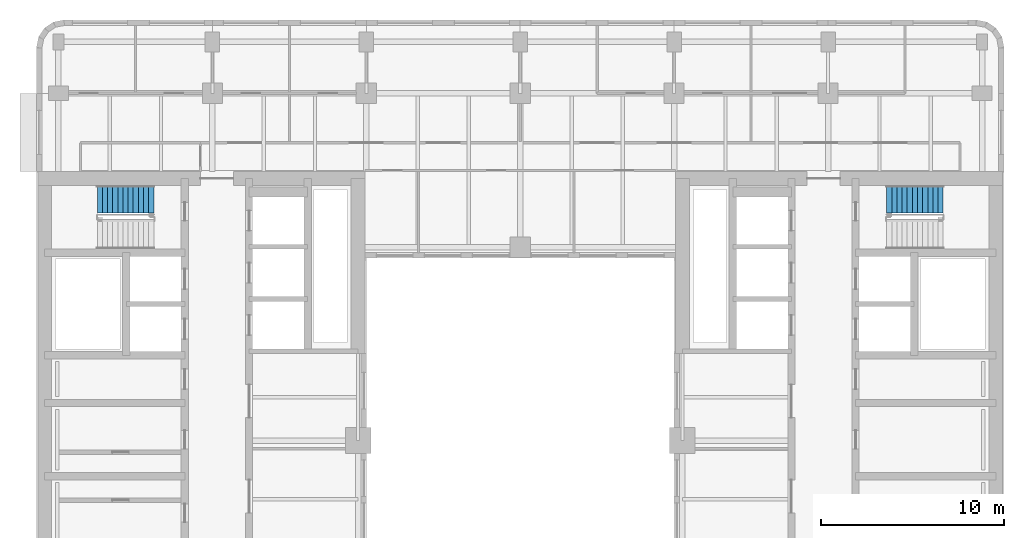
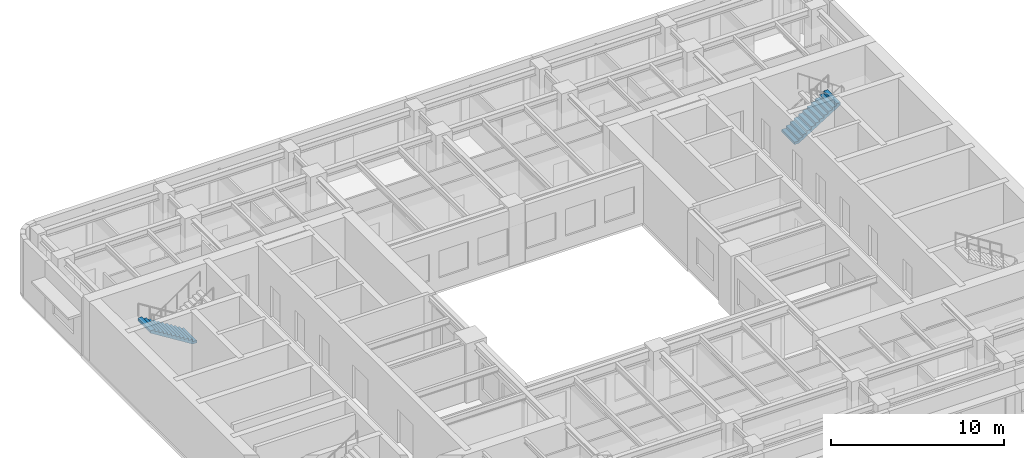
# One storey, part 9 of 12: 2 stair flights, 2 elements without a shape of their own.
"""IFC4 building model written with IfcOpenShell, lengths in metres."""

from ifc_helpers import new_model, si_unit, direction, frame, origin, place, context, subcontext, project, spatial, polyline, outline, extrude, material, type_object, element, aggregate, save


model = new_model("IFC4")

# Units and contexts
model_context = context("Model", 3, precision=1e-05, world=origin(), true_north=direction((0.0, 1.0)))
body_context = subcontext(model_context, "Body", "Model", "MODEL_VIEW")
ifc_project = project(units=[si_unit("LENGTHUNIT", "METRE"), si_unit("AREAUNIT", "SQUARE_METRE"), si_unit("VOLUMEUNIT", "CUBIC_METRE"), si_unit("PLANEANGLEUNIT", "RADIAN"), si_unit("MASSUNIT", "GRAM", prefix="KILO")], contexts=[model_context])

# Site, building, storey
site_placement = place(None, origin())
site = spatial("IfcSite", under=ifc_project, at=site_placement, CompositionType="ELEMENT")
building_placement = place(site_placement, origin())
building = spatial("IfcBuilding", under=site, at=building_placement, Name="Claustro Exchange Tower", CompositionType="ELEMENT")
storey_placement = place(building_placement, frame((0.0, 0.0, 223.800048828125)))
storey = spatial("IfcBuildingStorey", under=building, at=storey_placement, Name="L51", CompositionType="ELEMENT", Elevation=223.800048828125)

# Stair, stair flight
ifc_material_1 = material(Name="Concrete HA-30 (C30/37), precast", Category="concrete")
stair_type = type_object("IfcStairType", Name="ST1 half-turn stair, 24 risers of 175", PredefinedType="HALF_TURN_STAIR", material=ifc_material_1)
stair_1_placement = place(storey_placement, origin())
stair_1 = element("IfcStair", 1, at=stair_1_placement, inside=storey, type_object=stair_type, Name="Stair STWB L51", PredefinedType="HALF_TURN_STAIR")
ifc_material_2 = material(Name="Concrete HA-30 (C30/37), precast", Category="concrete")
stair_flight_type = type_object("IfcStairFlightType", Name="SF12A straight flight, 12 risers of 175, 1500 wide", PredefinedType="STRAIGHT", material=ifc_material_2)
stair_flight_1_placement = place(storey_placement, frame((5.199951171875, 36.22509765625, 0.0), z_axis=(0.0, 0.0, 1.0), x_axis=(-1.0, 0.0, 0.0)))
stair_flight_1 = element("IfcStairFlight", 2, at=stair_flight_1_placement, type_object=stair_flight_type, Name="STWB flight 1", NumberOfRisers=12, NumberOfTreads=11, PredefinedType="STRAIGHT", RiserHeight=0.175, TreadLength=0.28, context=body_context, shape_type="SweptSolid", body=[
    extrude(outline(polyline([(0.0, 0.0), (0.0, 0.175048828125), (0.280029296875, 0.175048828125), (0.280029296875, 0.35009765625), (0.56005859375, 0.35009765625), (0.56005859375, 0.52490234375), (0.840087890625, 0.52490234375), (0.840087890625, 0.699951171875), (1.1201171875, 0.699951171875), (1.1201171875, 0.875), (1.39990234375, 0.875), (1.39990234375, 1.050048828125), (1.679931640625, 1.050048828125), (1.679931640625, 1.22509765625), (1.9599609375, 1.22509765625), (1.9599609375, 1.39990234375), (2.239990234375, 1.39990234375), (2.239990234375, 1.574951171875), (2.52001953125, 1.574951171875), (2.52001953125, 1.75), (2.800048828125, 1.75), (2.800048828125, 1.925048828125), (3.080078125, 1.925048828125), (3.080078125, 2.10009765625), (3.080078125, 1.748291015625), (0.28271484375, 0.0), (0.0, 0.0)])), frame((0.0, 0.75, 0.0), z_axis=(0.0, -1.0, 0.0), x_axis=(1.0, 0.0, 0.0)), (0.0, 0.0, 1.0), 1.5),
])
aggregate(stair_1, [stair_flight_1])

stair_2_placement = place(storey_placement, origin())
stair_2 = element("IfcStair", 3, at=stair_2_placement, inside=storey, type_object=stair_type, Name="Stair STEB L51", PredefinedType="HALF_TURN_STAIR")
stair_flight_2_placement = place(storey_placement, frame((45.199951171875, 36.22509765625, 0.0), z_axis=(0.0, 0.0, 1.0), x_axis=(1.0, 0.0, 0.0)))
stair_flight_2 = element("IfcStairFlight", 4, at=stair_flight_2_placement, type_object=stair_flight_type, Name="STEB flight 1", NumberOfRisers=12, NumberOfTreads=11, PredefinedType="STRAIGHT", RiserHeight=0.175, TreadLength=0.28, context=body_context, shape_type="SweptSolid", body=[
    extrude(outline(polyline([(0.0, 0.0), (0.0, 0.175048828125), (0.280029296875, 0.175048828125), (0.280029296875, 0.35009765625), (0.56005859375, 0.35009765625), (0.56005859375, 0.52490234375), (0.840087890625, 0.52490234375), (0.840087890625, 0.699951171875), (1.1201171875, 0.699951171875), (1.1201171875, 0.875), (1.39990234375, 0.875), (1.39990234375, 1.050048828125), (1.679931640625, 1.050048828125), (1.679931640625, 1.22509765625), (1.9599609375, 1.22509765625), (1.9599609375, 1.39990234375), (2.239990234375, 1.39990234375), (2.239990234375, 1.574951171875), (2.52001953125, 1.574951171875), (2.52001953125, 1.75), (2.800048828125, 1.75), (2.800048828125, 1.925048828125), (3.080078125, 1.925048828125), (3.080078125, 2.10009765625), (3.080078125, 1.748291015625), (0.28271484375, 0.0), (0.0, 0.0)])), frame((0.0, 0.75, 0.0), z_axis=(0.0, -1.0, 0.0), x_axis=(1.0, 0.0, 0.0)), (0.0, 0.0, 1.0), 1.5),
])
aggregate(stair_2, [stair_flight_2])

save(model, "model.ifc")
